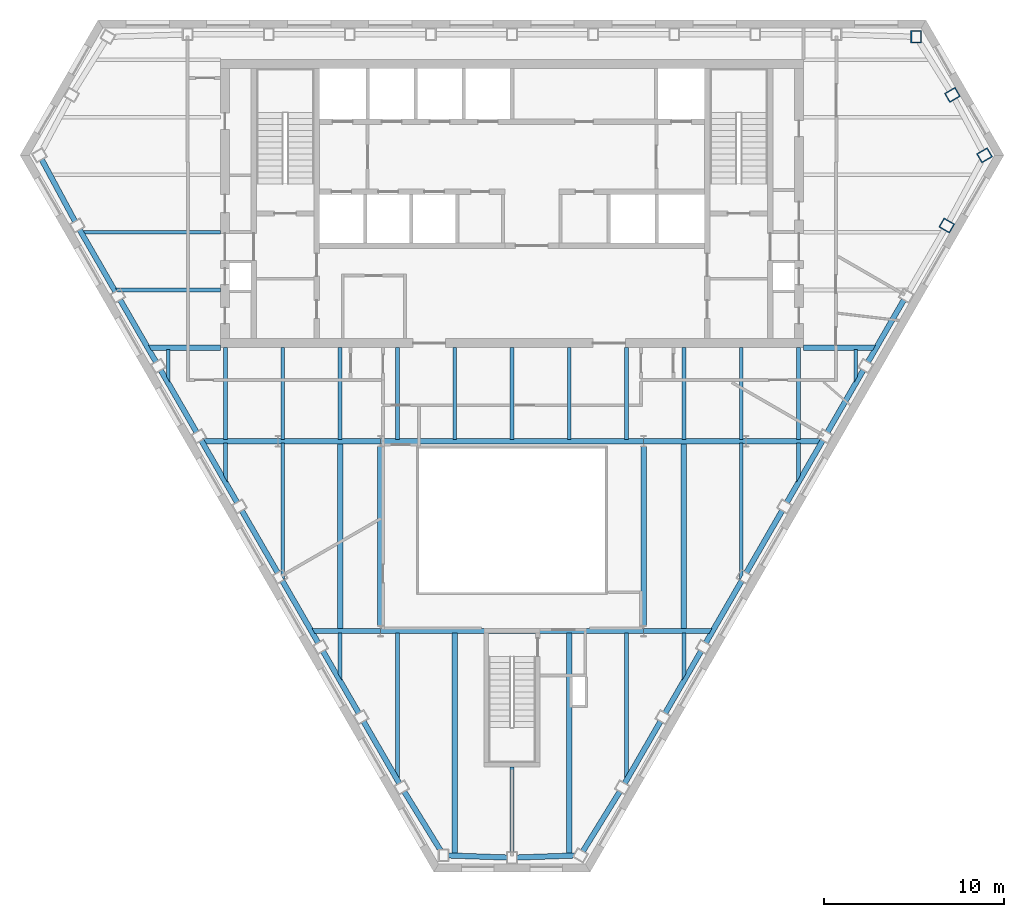
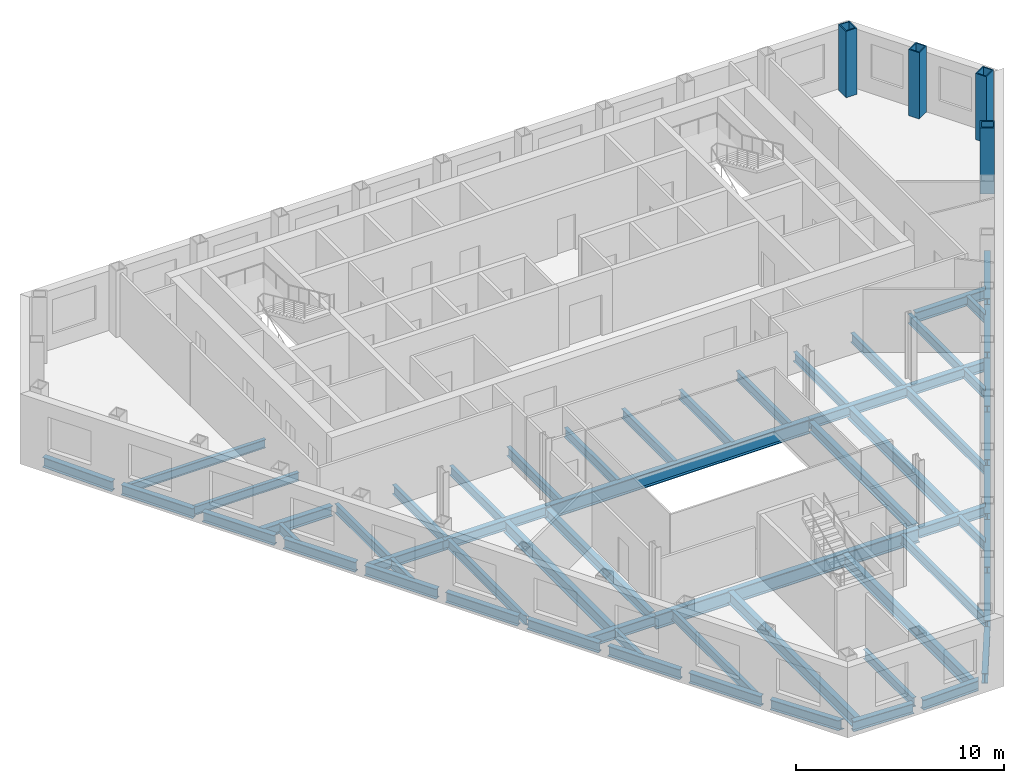
# One storey, part 2 of 10: 60 beams, 4 columns.
"""IFC4 building model written with IfcOpenShell, lengths in metres."""

from ifc_helpers import new_model, si_unit, direction, frame, origin, origin_2d, place, context, subcontext, project, spatial, hollow_rectangle, i_section, extrude, clip, halfspace, material, material_profile, profile_set, type_object, element, save


model = new_model("IFC4")

# Units and contexts
model_context = context("Model", 3, precision=1e-05, world=origin(), true_north=direction((0.0, 1.0)))
body_context = subcontext(model_context, "Body", "Model", "MODEL_VIEW")
ifc_project = project(units=[si_unit("LENGTHUNIT", "METRE"), si_unit("AREAUNIT", "SQUARE_METRE"), si_unit("VOLUMEUNIT", "CUBIC_METRE"), si_unit("PLANEANGLEUNIT", "RADIAN"), si_unit("MASSUNIT", "GRAM", prefix="KILO")], contexts=[model_context])

# Site, building, storey
site_placement = place(None, origin())
site = spatial("IfcSite", under=ifc_project, at=site_placement, CompositionType="ELEMENT")
building_placement = place(site_placement, origin())
building = spatial("IfcBuilding", under=site, at=building_placement, Name="Njiva Tower", CompositionType="ELEMENT")
storey_placement = place(building_placement, frame((0.0, 0.0, 159.3)))
storey = spatial("IfcBuildingStorey", under=building, at=storey_placement, Name="L34", CompositionType="ELEMENT", Elevation=159.3)

# Columns
ifc_material = material(Name="Steel S355 J2", Category="steel")
ifc_material_profile_1 = material_profile(ifc_material, hollow_rectangle(XDim=0.6, YDim=0.7, WallThickness=0.06, at=origin_2d()), Name="BOX 700x600x60")
ifc_profile_set_1 = profile_set([ifc_material_profile_1], Name="Steel S355 J2")
column_type = type_object("IfcColumnType", Name="C9 Perimeter tube column BOX 700x600x60", PredefinedType="COLUMN", material=ifc_profile_set_1)
for number, where, z_axis, x_axis, name in (
    (1, (22.456, 19.267, 0.0), (0.0, 0.0, 1.0), (-1.0, 0.0, 0.0), "Perimeter tube column S11-C01"),
    (2, (24.158, 8.78, 0.0), (0.0, 0.0, 1.0), (0.5, 0.866025403784, 0.0), "Perimeter tube column S11-C34"),
    (3, (26.258, 12.683, 0.0), (0.0, 0.0, 1.0), (-0.5, 0.866025403784, 0.0), "Perimeter tube column S11-C35"),
    (4, (24.472, 16.041, 0.0), (0.0, 0.0, 1.0), (-0.5, 0.866025403784, 0.0), "Perimeter tube column S11-C36"),
):
    element("IfcColumn", number, at=place(storey_placement, frame(where, z_axis=z_axis, x_axis=x_axis)), inside=storey, type_object=column_type, Name=name, PredefinedType="COLUMN", context=body_context, shape_type="SweptSolid", body=[
        extrude(hollow_rectangle(XDim=0.6, YDim=0.7, WallThickness=0.06, at=origin_2d()), origin(), (0.0, 0.0, 1.0), 3.9),
    ])

# Beams
ifc_material_profile_2 = material_profile(ifc_material, i_section(OverallWidth=0.3, OverallDepth=0.69, WebThickness=0.0145, FlangeThickness=0.027, at=origin_2d()), Name="HEA 700")
ifc_profile_set_2 = profile_set([ifc_material_profile_2], Name="Steel S355 J2")
beam_type_1 = type_object("IfcBeamType", Name="B12 Long-span floor joist HEA 700", PredefinedType="JOIST", material=ifc_profile_set_2)
beam_1_placement = place(storey_placement, frame((-9.55, -3.3, -0.545), z_axis=(0.0, -1.0, 0.0), x_axis=(1.0, 0.0, 0.0)))
element("IfcBeam", 5, at=beam_1_placement, inside=storey, type_object=beam_type_1, Name="Long-span floor joist S11-B059", PredefinedType="JOIST", context=body_context, shape_type="SweptSolid", body=[
    extrude(i_section(OverallWidth=0.3, OverallDepth=0.69, WebThickness=0.0145, FlangeThickness=0.027, at=origin_2d()), origin(), (0.0, 0.0, 1.0), 10.35),
])
for number, where, z_axis, x_axis, name in (
    (6, (-3.183, -13.851, -0.545), (0.0, -1.0, 0.0), (1.0, 0.0, 0.0), "Long-span floor joist S11-B063"),
    (7, (3.183, -13.851, -0.545), (0.0, -1.0, 0.0), (1.0, 0.0, 0.0), "Long-span floor joist S11-B068"),
):
    element("IfcBeam", number, at=place(storey_placement, frame(where, z_axis=z_axis, x_axis=x_axis)), inside=storey, type_object=beam_type_1, Name=name, PredefinedType="JOIST", context=body_context, shape_type="SweptSolid", body=[
        extrude(i_section(OverallWidth=0.3, OverallDepth=0.69, WebThickness=0.0145, FlangeThickness=0.027, at=origin_2d()), origin(), (0.0, 0.0, 1.0), 12.28),
    ])
beam_2_placement = place(storey_placement, frame((9.55, -3.3, -0.545), z_axis=(0.0, -1.0, 0.0), x_axis=(1.0, 0.0, 0.0)))
element("IfcBeam", 8, at=beam_2_placement, inside=storey, type_object=beam_type_1, Name="Long-span floor joist S11-B073", PredefinedType="JOIST", context=body_context, shape_type="SweptSolid", body=[
    extrude(i_section(OverallWidth=0.3, OverallDepth=0.69, WebThickness=0.0145, FlangeThickness=0.027, at=origin_2d()), origin(), (0.0, 0.0, 1.0), 10.35),
])
ifc_material_profile_3 = material_profile(ifc_material, i_section(OverallWidth=0.2, OverallDepth=0.5, WebThickness=0.0102, FlangeThickness=0.016, at=origin_2d()), Name="IPE 500")
ifc_profile_set_3 = profile_set([ifc_material_profile_3], Name="Steel S355 J2")
beam_type_2 = type_object("IfcBeamType", Name="B24 Floor beam to the core IPE 500", PredefinedType="BEAM", material=ifc_profile_set_3)
beam_3_placement = place(storey_placement, frame((-22.054, 5.2, -0.45), z_axis=(1.0, 0.0, 0.0), x_axis=(0.0, 1.0, 0.0)))
element("IfcBeam", 9, at=beam_3_placement, inside=storey, type_object=beam_type_2, Name="Floor beam to the core S11-B006", PredefinedType="BEAM", context=body_context, shape_type="Clipping", body=[
    clip(extrude(i_section(OverallWidth=0.2, OverallDepth=0.5, WebThickness=0.0102, FlangeThickness=0.016, at=origin_2d()), origin(), (0.0, 0.0, 1.0), 5.854), halfspace(frame((-0.025, 0.0, 0.0929), z_axis=(-0.499998009787, 0.0, -0.866026552831), x_axis=(0.0, -1.0, 0.0)), False)),
])
beam_4_placement = place(storey_placement, frame((-23.901, 8.4, -0.45), z_axis=(1.0, 0.0, 0.0), x_axis=(0.0, 1.0, 0.0)))
element("IfcBeam", 10, at=beam_4_placement, inside=storey, type_object=beam_type_2, Name="Floor beam to the core S11-B004", PredefinedType="BEAM", context=body_context, shape_type="Clipping", body=[
    clip(extrude(i_section(OverallWidth=0.2, OverallDepth=0.5, WebThickness=0.0102, FlangeThickness=0.016, at=origin_2d()), origin(), (0.0, 0.0, 1.0), 7.701), halfspace(frame((-0.025, 0.0, 0.0924), z_axis=(-0.499998009787, 0.0, -0.866026552831), x_axis=(0.0, -1.0, 0.0)), False)),
])
ifc_material_profile_4 = material_profile(ifc_material, i_section(OverallWidth=0.3, OverallDepth=0.59, WebThickness=0.013, FlangeThickness=0.025, at=origin_2d()), Name="HEA 600")
ifc_profile_set_4 = profile_set([ifc_material_profile_4], Name="Steel S355 J2")
beam_type_3 = type_object("IfcBeamType", Name="B27 Short-span spandrel beam HEA 600", PredefinedType="SPANDREL", material=ifc_profile_set_4)
beam_5_placement = place(storey_placement, frame((-26.137, 12.46, -0.495), z_axis=(0.473719879084, -0.880675579405, 0.0), x_axis=(0.880675579405, 0.473719879084, 0.0)))
element("IfcBeam", 11, at=beam_5_placement, inside=storey, type_object=beam_type_3, Name="Short-span spandrel beam S11-B088", PredefinedType="SPANDREL", context=body_context, shape_type="SweptSolid", body=[
    extrude(i_section(OverallWidth=0.3, OverallDepth=0.59, WebThickness=0.013, FlangeThickness=0.025, at=origin_2d()), origin(), (0.0, 0.0, 1.0), 3.9243),
])
beam_6_placement = place(storey_placement, frame((-24.033, 8.564, -0.495), z_axis=(0.499924104568, -0.866069217599, 0.0), x_axis=(0.866069217599, 0.499924104568, 0.0)))
element("IfcBeam", 12, at=beam_6_placement, inside=storey, type_object=beam_type_3, Name="Short-span spandrel beam S11-B093", PredefinedType="SPANDREL", context=body_context, shape_type="SweptSolid", body=[
    extrude(i_section(OverallWidth=0.3, OverallDepth=0.59, WebThickness=0.013, FlangeThickness=0.025, at=origin_2d()), origin(), (0.0, 0.0, 1.0), 4.0066),
])
beam_7_placement = place(storey_placement, frame((-21.78, 4.661, -0.495), z_axis=(0.500003221507, -0.866023543838, 0.0), x_axis=(0.866023543838, 0.500003221507, 0.0)))
element("IfcBeam", 13, at=beam_7_placement, inside=storey, type_object=beam_type_3, Name="Short-span spandrel beam S11-B097", PredefinedType="SPANDREL", context=body_context, shape_type="SweptSolid", body=[
    extrude(i_section(OverallWidth=0.3, OverallDepth=0.59, WebThickness=0.013, FlangeThickness=0.025, at=origin_2d()), origin(), (0.0, 0.0, 1.0), 4.008),
])
for number, where, z_axis, x_axis, name in (
    (14, (-19.526, 0.757, -0.495), (0.500032187732, -0.866006819391, 0.0), (0.866006819391, 0.500032187732, 0.0), "Short-span spandrel beam S11-B099"),
    (15, (-17.273, -3.145, -0.495), (0.500032187732, -0.866006819391, 0.0), (0.866006819391, 0.500032187732, 0.0), "Short-span spandrel beam S11-B103"),
):
    element("IfcBeam", number, at=place(storey_placement, frame(where, z_axis=z_axis, x_axis=x_axis)), inside=storey, type_object=beam_type_3, Name=name, PredefinedType="SPANDREL", context=body_context, shape_type="SweptSolid", body=[
        extrude(i_section(OverallWidth=0.3, OverallDepth=0.59, WebThickness=0.013, FlangeThickness=0.025, at=origin_2d()), origin(), (0.0, 0.0, 1.0), 4.0057),
    ])
beam_8_placement = place(storey_placement, frame((-15.02, -7.047, -0.495), z_axis=(0.500003221507, -0.866023543838, 0.0), x_axis=(0.866023543838, 0.500003221507, 0.0)))
element("IfcBeam", 16, at=beam_8_placement, inside=storey, type_object=beam_type_3, Name="Short-span spandrel beam S11-B105", PredefinedType="SPANDREL", context=body_context, shape_type="SweptSolid", body=[
    extrude(i_section(OverallWidth=0.3, OverallDepth=0.59, WebThickness=0.013, FlangeThickness=0.025, at=origin_2d()), origin(), (0.0, 0.0, 1.0), 4.008),
])
beam_9_placement = place(storey_placement, frame((-12.766, -10.951, -0.495), z_axis=(0.499924104568, -0.866069217599, 0.0), x_axis=(0.866069217599, 0.499924104568, 0.0)))
element("IfcBeam", 17, at=beam_9_placement, inside=storey, type_object=beam_type_3, Name="Short-span spandrel beam S11-B109", PredefinedType="SPANDREL", context=body_context, shape_type="SweptSolid", body=[
    extrude(i_section(OverallWidth=0.3, OverallDepth=0.59, WebThickness=0.013, FlangeThickness=0.025, at=origin_2d()), origin(), (0.0, 0.0, 1.0), 4.0066),
])
beam_10_placement = place(storey_placement, frame((-10.513, -14.854, -0.495), z_axis=(0.500032187732, -0.866006819391, 0.0), x_axis=(0.866006819391, 0.500032187732, 0.0)))
element("IfcBeam", 18, at=beam_10_placement, inside=storey, type_object=beam_type_3, Name="Short-span spandrel beam S11-B111", PredefinedType="SPANDREL", context=body_context, shape_type="SweptSolid", body=[
    extrude(i_section(OverallWidth=0.3, OverallDepth=0.59, WebThickness=0.013, FlangeThickness=0.025, at=origin_2d()), origin(), (0.0, 0.0, 1.0), 4.0057),
])
beam_11_placement = place(storey_placement, frame((-8.26, -18.756, -0.495), z_axis=(0.500003221507, -0.866023543838, 0.0), x_axis=(0.866023543838, 0.500003221507, 0.0)))
element("IfcBeam", 19, at=beam_11_placement, inside=storey, type_object=beam_type_3, Name="Short-span spandrel beam S11-B115", PredefinedType="SPANDREL", context=body_context, shape_type="SweptSolid", body=[
    extrude(i_section(OverallWidth=0.3, OverallDepth=0.59, WebThickness=0.013, FlangeThickness=0.025, at=origin_2d()), origin(), (0.0, 0.0, 1.0), 4.008),
])
beam_12_placement = place(storey_placement, frame((-5.998, -22.659, -0.495), z_axis=(0.525832416533, -0.850588190444, 0.0), x_axis=(0.850588190444, 0.525832416533, 0.0)))
element("IfcBeam", 20, at=beam_12_placement, inside=storey, type_object=beam_type_3, Name="Short-span spandrel beam S11-B117", PredefinedType="SPANDREL", context=body_context, shape_type="Clipping", body=[
    clip(extrude(i_section(OverallWidth=0.3, OverallDepth=0.59, WebThickness=0.013, FlangeThickness=0.025, at=origin_2d()), origin(), (0.0, 0.0, 1.0), 3.9374), halfspace(frame((-0.0263, 0.0, 3.8082), z_axis=(-0.525832416533, 0.0, 0.850588190444), x_axis=(0.0, 1.0, 0.0)), False)),
])
beam_13_placement = place(storey_placement, frame((-3.547, -26.221, -0.495), z_axis=(0.999380132926, -0.035204401889, 0.0), x_axis=(0.035204401889, 0.999380132926, 0.0)))
element("IfcBeam", 21, at=beam_13_placement, inside=storey, type_object=beam_type_3, Name="Short-span spandrel beam S11-B121", PredefinedType="SPANDREL", context=body_context, shape_type="SweptSolid", body=[
    extrude(i_section(OverallWidth=0.3, OverallDepth=0.59, WebThickness=0.013, FlangeThickness=0.025, at=origin_2d()), origin(), (0.0, 0.0, 1.0), 3.295),
])
beam_14_placement = place(storey_placement, frame((0.254, -26.337, -0.495), z_axis=(0.999385378598, 0.035055171438, 0.0), x_axis=(-0.035055171438, 0.999385378598, 0.0)))
element("IfcBeam", 22, at=beam_14_placement, inside=storey, type_object=beam_type_3, Name="Short-span spandrel beam S11-B122", PredefinedType="SPANDREL", context=body_context, shape_type="Clipping", body=[
    clip(extrude(i_section(OverallWidth=0.3, OverallDepth=0.59, WebThickness=0.013, FlangeThickness=0.025, at=origin_2d()), origin(), (0.0, 0.0, 1.0), 3.309), halfspace(frame((-0.0264, 0.0, 3.1785), z_axis=(-0.530049409589, 0.0, 0.847966758425), x_axis=(0.0, 1.0, 0.0)), False)),
])
beam_15_placement = place(storey_placement, frame((3.935, -25.996, -0.495), z_axis=(0.525845568768, 0.850580059611, 0.0), x_axis=(-0.850580059611, 0.525845568768, 0.0)))
element("IfcBeam", 23, at=beam_15_placement, inside=storey, type_object=beam_type_3, Name="Short-span spandrel beam S11-B126", PredefinedType="SPANDREL", context=body_context, shape_type="SweptSolid", body=[
    extrude(i_section(OverallWidth=0.3, OverallDepth=0.59, WebThickness=0.013, FlangeThickness=0.025, at=origin_2d()), origin(), (0.0, 0.0, 1.0), 3.9232),
])
beam_16_placement = place(storey_placement, frame((6.256, -22.227, -0.495), z_axis=(0.500003221507, 0.866023543838, 0.0), x_axis=(-0.866023543838, 0.500003221507, 0.0)))
element("IfcBeam", 24, at=beam_16_placement, inside=storey, type_object=beam_type_3, Name="Short-span spandrel beam S11-B130", PredefinedType="SPANDREL", context=body_context, shape_type="SweptSolid", body=[
    extrude(i_section(OverallWidth=0.3, OverallDepth=0.59, WebThickness=0.013, FlangeThickness=0.025, at=origin_2d()), origin(), (0.0, 0.0, 1.0), 4.008),
])
beam_17_placement = place(storey_placement, frame((8.51, -18.323, -0.495), z_axis=(0.500032187732, 0.866006819391, 0.0), x_axis=(-0.866006819391, 0.500032187732, 0.0)))
element("IfcBeam", 25, at=beam_17_placement, inside=storey, type_object=beam_type_3, Name="Short-span spandrel beam S11-B132", PredefinedType="SPANDREL", context=body_context, shape_type="SweptSolid", body=[
    extrude(i_section(OverallWidth=0.3, OverallDepth=0.59, WebThickness=0.013, FlangeThickness=0.025, at=origin_2d()), origin(), (0.0, 0.0, 1.0), 4.0057),
])
beam_18_placement = place(storey_placement, frame((10.763, -14.421, -0.495), z_axis=(0.499924104568, 0.866069217599, 0.0), x_axis=(-0.866069217599, 0.499924104568, 0.0)))
element("IfcBeam", 26, at=beam_18_placement, inside=storey, type_object=beam_type_3, Name="Short-span spandrel beam S11-B136", PredefinedType="SPANDREL", context=body_context, shape_type="SweptSolid", body=[
    extrude(i_section(OverallWidth=0.3, OverallDepth=0.59, WebThickness=0.013, FlangeThickness=0.025, at=origin_2d()), origin(), (0.0, 0.0, 1.0), 4.0066),
])
beam_19_placement = place(storey_placement, frame((13.016, -10.518, -0.495), z_axis=(0.500003221507, 0.866023543838, 0.0), x_axis=(-0.866023543838, 0.500003221507, 0.0)))
element("IfcBeam", 27, at=beam_19_placement, inside=storey, type_object=beam_type_3, Name="Short-span spandrel beam S11-B138", PredefinedType="SPANDREL", context=body_context, shape_type="SweptSolid", body=[
    extrude(i_section(OverallWidth=0.3, OverallDepth=0.59, WebThickness=0.013, FlangeThickness=0.025, at=origin_2d()), origin(), (0.0, 0.0, 1.0), 4.008),
])
for number, where, z_axis, x_axis, name in (
    (28, (15.27, -6.614, -0.495), (0.500032187732, 0.866006819391, 0.0), (-0.866006819391, 0.500032187732, 0.0), "Short-span spandrel beam S11-B142"),
    (29, (17.523, -2.712, -0.495), (0.500032187732, 0.866006819391, 0.0), (-0.866006819391, 0.500032187732, 0.0), "Short-span spandrel beam S11-B144"),
):
    element("IfcBeam", number, at=place(storey_placement, frame(where, z_axis=z_axis, x_axis=x_axis)), inside=storey, type_object=beam_type_3, Name=name, PredefinedType="SPANDREL", context=body_context, shape_type="SweptSolid", body=[
        extrude(i_section(OverallWidth=0.3, OverallDepth=0.59, WebThickness=0.013, FlangeThickness=0.025, at=origin_2d()), origin(), (0.0, 0.0, 1.0), 4.0057),
    ])
beam_20_placement = place(storey_placement, frame((19.776, 1.19, -0.495), z_axis=(0.500003221507, 0.866023543838, 0.0), x_axis=(-0.866023543838, 0.500003221507, 0.0)))
element("IfcBeam", 30, at=beam_20_placement, inside=storey, type_object=beam_type_3, Name="Short-span spandrel beam S11-B148", PredefinedType="SPANDREL", context=body_context, shape_type="SweptSolid", body=[
    extrude(i_section(OverallWidth=0.3, OverallDepth=0.59, WebThickness=0.013, FlangeThickness=0.025, at=origin_2d()), origin(), (0.0, 0.0, 1.0), 4.008),
])
ifc_material_profile_5 = material_profile(ifc_material, i_section(OverallWidth=0.3, OverallDepth=0.59, WebThickness=0.013, FlangeThickness=0.025, at=origin_2d()), Name="HEA 600")
ifc_profile_set_5 = profile_set([ifc_material_profile_5], Name="Steel S355 J2")
beam_type_4 = type_object("IfcBeamType", Name="B28 Floor girder HEA 600", PredefinedType="BEAM", material=ifc_profile_set_5)
for number, where, z_axis, x_axis, name in (
    (31, (-13.0, -3.2, -0.495), (1.0, 0.0, 0.0), (0.0, 1.0, 0.0), "Floor girder S11-B016"),
    (32, (7.32, -3.2, -0.495), (1.0, 0.0, 0.0), (0.0, 1.0, 0.0), "Floor girder S11-B019"),
):
    element("IfcBeam", number, at=place(storey_placement, frame(where, z_axis=z_axis, x_axis=x_axis)), inside=storey, type_object=beam_type_4, Name=name, PredefinedType="BEAM", context=body_context, shape_type="SweptSolid", body=[
        extrude(i_section(OverallWidth=0.3, OverallDepth=0.59, WebThickness=0.013, FlangeThickness=0.025, at=origin_2d()), origin(), (0.0, 0.0, 1.0), 5.68),
    ])
ifc_material_profile_6 = material_profile(ifc_material, i_section(OverallWidth=0.3, OverallDepth=0.59, WebThickness=0.013, FlangeThickness=0.025, at=origin_2d()), Name="HEA 600")
ifc_profile_set_6 = profile_set([ifc_material_profile_6], Name="Steel S355 J2")
beam_type_5 = type_object("IfcBeamType", Name="B29 Short-span floor girder HEA 600", PredefinedType="BEAM", material=ifc_profile_set_6)
beam_21_placement = place(storey_placement, frame((-17.233, -3.2, -0.495), z_axis=(1.0, 0.0, 0.0), x_axis=(0.0, 1.0, 0.0)))
element("IfcBeam", 33, at=beam_21_placement, inside=storey, type_object=beam_type_5, Name="Short-span floor girder S11-B015", PredefinedType="BEAM", context=body_context, shape_type="Clipping", body=[
    clip(extrude(i_section(OverallWidth=0.3, OverallDepth=0.59, WebThickness=0.013, FlangeThickness=0.025, at=origin_2d()), origin(), (0.0, 0.0, 1.0), 4.233), halfspace(frame((-0.025, 0.0, 0.1217), z_axis=(-0.499998009787, 0.0, -0.866026552831), x_axis=(0.0, -1.0, 0.0)), False)),
])
beam_22_placement = place(storey_placement, frame((13.0, -3.2, -0.495), z_axis=(1.0, 0.0, 0.0), x_axis=(0.0, 1.0, 0.0)))
element("IfcBeam", 34, at=beam_22_placement, inside=storey, type_object=beam_type_5, Name="Short-span floor girder S11-B020", PredefinedType="BEAM", context=body_context, shape_type="Clipping", body=[
    clip(extrude(i_section(OverallWidth=0.3, OverallDepth=0.59, WebThickness=0.013, FlangeThickness=0.025, at=origin_2d()), origin(), (0.0, 0.0, 1.0), 4.233), halfspace(frame((-0.025, 0.0, 4.1113), z_axis=(-0.499998009787, 0.0, 0.866026552831), x_axis=(0.0, 1.0, 0.0)), False)),
])
beam_23_placement = place(storey_placement, frame((-11.142, -13.75, -0.495), z_axis=(1.0, 0.0, 0.0), x_axis=(0.0, 1.0, 0.0)))
element("IfcBeam", 35, at=beam_23_placement, inside=storey, type_object=beam_type_5, Name="Short-span floor girder S11-B017", PredefinedType="BEAM", context=body_context, shape_type="Clipping", body=[
    clip(extrude(i_section(OverallWidth=0.3, OverallDepth=0.59, WebThickness=0.013, FlangeThickness=0.025, at=origin_2d()), origin(), (0.0, 0.0, 1.0), 3.822), halfspace(frame((-0.025, 0.0, 0.1217), z_axis=(-0.499998009787, 0.0, -0.866026552831), x_axis=(0.0, -1.0, 0.0)), False)),
])
beam_24_placement = place(storey_placement, frame((7.32, -13.75, -0.495), z_axis=(1.0, 0.0, 0.0), x_axis=(0.0, 1.0, 0.0)))
element("IfcBeam", 36, at=beam_24_placement, inside=storey, type_object=beam_type_5, Name="Short-span floor girder S11-B018", PredefinedType="BEAM", context=body_context, shape_type="Clipping", body=[
    clip(extrude(i_section(OverallWidth=0.3, OverallDepth=0.59, WebThickness=0.013, FlangeThickness=0.025, at=origin_2d()), origin(), (0.0, 0.0, 1.0), 3.822), halfspace(frame((-0.025, 0.0, 3.7003), z_axis=(-0.499998009787, 0.0, 0.866026552831), x_axis=(0.0, 1.0, 0.0)), False)),
])
beam_25_placement = place(storey_placement, frame((-20.235, 2.0, -0.495), z_axis=(1.0, 0.0, 0.0), x_axis=(0.0, 1.0, 0.0)))
element("IfcBeam", 37, at=beam_25_placement, inside=storey, type_object=beam_type_5, Name="Short-span floor girder S11-B013", PredefinedType="BEAM", context=body_context, shape_type="Clipping", body=[
    clip(extrude(i_section(OverallWidth=0.3, OverallDepth=0.59, WebThickness=0.013, FlangeThickness=0.025, at=origin_2d()), origin(), (0.0, 0.0, 1.0), 4.035), halfspace(frame((-0.025, 0.0, 0.1214), z_axis=(-0.499998009787, 0.0, -0.866026552831), x_axis=(0.0, -1.0, 0.0)), False)),
])
beam_26_placement = place(storey_placement, frame((16.2, 2.0, -0.495), z_axis=(1.0, 0.0, 0.0), x_axis=(0.0, 1.0, 0.0)))
element("IfcBeam", 38, at=beam_26_placement, inside=storey, type_object=beam_type_5, Name="Short-span floor girder S11-B022", PredefinedType="BEAM", context=body_context, shape_type="Clipping", body=[
    clip(extrude(i_section(OverallWidth=0.3, OverallDepth=0.59, WebThickness=0.013, FlangeThickness=0.025, at=origin_2d()), origin(), (0.0, 0.0, 1.0), 4.035), halfspace(frame((-0.025, 0.0, 3.9136), z_axis=(-0.499998009787, 0.0, 0.866026552831), x_axis=(0.0, 1.0, 0.0)), False)),
])
ifc_material_profile_7 = material_profile(ifc_material, i_section(OverallWidth=0.3, OverallDepth=0.59, WebThickness=0.013, FlangeThickness=0.025, at=origin_2d()), Name="HEA 600")
ifc_profile_set_7 = profile_set([ifc_material_profile_7], Name="Steel S355 J2")
beam_type_6 = type_object("IfcBeamType", Name="B30 Long-span atrium trimmer beam HEA 600", PredefinedType="BEAM", material=ifc_profile_set_7)
for number, where, z_axis, x_axis, name in (
    (39, (7.32, -13.49, -0.495), (0.0, 1.0, 0.0), (-1.0, 0.0, 0.0), "Long-span atrium trimmer beam S11-B086"),
    (40, (-7.32, -3.46, -0.495), (0.0, -1.0, 0.0), (1.0, 0.0, 0.0), "Long-span atrium trimmer beam S11-B083"),
):
    element("IfcBeam", number, at=place(storey_placement, frame(where, z_axis=z_axis, x_axis=x_axis)), inside=storey, type_object=beam_type_6, Name=name, PredefinedType="BEAM", context=body_context, shape_type="SweptSolid", body=[
        extrude(i_section(OverallWidth=0.3, OverallDepth=0.59, WebThickness=0.013, FlangeThickness=0.025, at=origin_2d()), origin(), (0.0, 0.0, 1.0), 10.03),
    ])
ifc_material_profile_8 = material_profile(ifc_material, i_section(OverallWidth=0.21, OverallDepth=0.55, WebThickness=0.0111, FlangeThickness=0.0172, at=origin_2d()), Name="IPE 550")
ifc_profile_set_8 = profile_set([ifc_material_profile_8], Name="Steel S355 J2")
beam_type_7 = type_object("IfcBeamType", Name="B31 Short-span floor joist IPE 550", PredefinedType="JOIST", material=ifc_profile_set_8)
beam_27_placement = place(storey_placement, frame((-19.1, 1.9, -0.475), z_axis=(0.0, -1.0, 0.0), x_axis=(1.0, 0.0, 0.0)))
element("IfcBeam", 41, at=beam_27_placement, inside=storey, type_object=beam_type_7, Name="Short-span floor joist S11-B052", PredefinedType="JOIST", context=body_context, shape_type="Clipping", body=[
    clip(extrude(i_section(OverallWidth=0.21, OverallDepth=0.55, WebThickness=0.0111, FlangeThickness=0.0172, at=origin_2d()), origin(), (0.0, 0.0, 1.0), 1.883), halfspace(frame((-0.0433, 0.0, 1.6055), z_axis=(-0.866026552831, 0.0, 0.499998009787), x_axis=(0.0, 1.0, 0.0)), False)),
])
beam_28_placement = place(storey_placement, frame((-15.917, -3.3, -0.475), z_axis=(0.0, -1.0, 0.0), x_axis=(1.0, 0.0, 0.0)))
element("IfcBeam", 42, at=beam_28_placement, inside=storey, type_object=beam_type_7, Name="Short-span floor joist S11-B053", PredefinedType="JOIST", context=body_context, shape_type="Clipping", body=[
    clip(extrude(i_section(OverallWidth=0.21, OverallDepth=0.55, WebThickness=0.0111, FlangeThickness=0.0172, at=origin_2d()), origin(), (0.0, 0.0, 1.0), 2.196), halfspace(frame((-0.043, 0.0, 1.9192), z_axis=(-0.866026552831, 0.0, 0.499998009787), x_axis=(0.0, 1.0, 0.0)), False)),
])
beam_29_placement = place(storey_placement, frame((-9.55, -13.85, -0.475), z_axis=(0.0, -1.0, 0.0), x_axis=(1.0, 0.0, 0.0)))
element("IfcBeam", 43, at=beam_29_placement, inside=storey, type_object=beam_type_7, Name="Short-span floor joist S11-B058", PredefinedType="JOIST", context=body_context, shape_type="Clipping", body=[
    clip(extrude(i_section(OverallWidth=0.21, OverallDepth=0.55, WebThickness=0.0111, FlangeThickness=0.0172, at=origin_2d()), origin(), (0.0, 0.0, 1.0), 2.674), halfspace(frame((-0.0433, 0.0, 2.3966), z_axis=(-0.866026552831, 0.0, 0.499998009787), x_axis=(0.0, 1.0, 0.0)), False)),
])
beam_30_placement = place(storey_placement, frame((9.55, -13.85, -0.475), z_axis=(0.0, -1.0, 0.0), x_axis=(1.0, 0.0, 0.0)))
element("IfcBeam", 44, at=beam_30_placement, inside=storey, type_object=beam_type_7, Name="Short-span floor joist S11-B072", PredefinedType="JOIST", context=body_context, shape_type="Clipping", body=[
    clip(extrude(i_section(OverallWidth=0.21, OverallDepth=0.55, WebThickness=0.0111, FlangeThickness=0.0172, at=origin_2d()), origin(), (0.0, 0.0, 1.0), 2.674), halfspace(frame((0.0433, 0.0, 2.3966), z_axis=(0.866026552831, 0.0, 0.499998009787), x_axis=(0.0, 1.0, 0.0)), False)),
])
beam_31_placement = place(storey_placement, frame((15.917, -3.3, -0.475), z_axis=(0.0, -1.0, 0.0), x_axis=(1.0, 0.0, 0.0)))
element("IfcBeam", 45, at=beam_31_placement, inside=storey, type_object=beam_type_7, Name="Short-span floor joist S11-B078", PredefinedType="JOIST", context=body_context, shape_type="Clipping", body=[
    clip(extrude(i_section(OverallWidth=0.21, OverallDepth=0.55, WebThickness=0.0111, FlangeThickness=0.0172, at=origin_2d()), origin(), (0.0, 0.0, 1.0), 2.196), halfspace(frame((0.043, 0.0, 1.9192), z_axis=(0.866026552831, 0.0, 0.499998009787), x_axis=(0.0, 1.0, 0.0)), False)),
])
beam_32_placement = place(storey_placement, frame((19.1, 1.9, -0.475), z_axis=(0.0, -1.0, 0.0), x_axis=(1.0, 0.0, 0.0)))
element("IfcBeam", 46, at=beam_32_placement, inside=storey, type_object=beam_type_7, Name="Short-span floor joist S11-B080", PredefinedType="JOIST", context=body_context, shape_type="Clipping", body=[
    clip(extrude(i_section(OverallWidth=0.21, OverallDepth=0.55, WebThickness=0.0111, FlangeThickness=0.0172, at=origin_2d()), origin(), (0.0, 0.0, 1.0), 1.883), halfspace(frame((0.0433, 0.0, 1.6055), z_axis=(0.866026552831, 0.0, 0.499998009787), x_axis=(0.0, 1.0, 0.0)), False)),
])
ifc_material_profile_9 = material_profile(ifc_material, i_section(OverallWidth=0.21, OverallDepth=0.55, WebThickness=0.0111, FlangeThickness=0.0172, at=origin_2d()), Name="IPE 550")
ifc_profile_set_9 = profile_set([ifc_material_profile_9], Name="Steel S355 J2")
beam_type_8 = type_object("IfcBeamType", Name="B32 Floor joist IPE 550", PredefinedType="JOIST", material=ifc_profile_set_9)
for number, where, z_axis, x_axis, name in (
    (47, (-15.917, 1.995, -0.475), (0.0, -1.0, 0.0), (1.0, 0.0, 0.0), "Floor joist S11-B054"),
    (48, (-12.733, 1.995, -0.475), (0.0, -1.0, 0.0), (1.0, 0.0, 0.0), "Floor joist S11-B057"),
):
    element("IfcBeam", number, at=place(storey_placement, frame(where, z_axis=z_axis, x_axis=x_axis)), inside=storey, type_object=beam_type_8, Name=name, PredefinedType="JOIST", context=body_context, shape_type="SweptSolid", body=[
        extrude(i_section(OverallWidth=0.21, OverallDepth=0.55, WebThickness=0.0111, FlangeThickness=0.0172, at=origin_2d()), origin(), (0.0, 0.0, 1.0), 5.095),
    ])
beam_33_placement = place(storey_placement, frame((-12.733, -3.3, -0.475), z_axis=(0.0, -1.0, 0.0), x_axis=(1.0, 0.0, 0.0)))
element("IfcBeam", 49, at=beam_33_placement, inside=storey, type_object=beam_type_8, Name="Floor joist S11-B056", PredefinedType="JOIST", context=body_context, shape_type="Clipping", body=[
    clip(extrude(i_section(OverallWidth=0.21, OverallDepth=0.55, WebThickness=0.0111, FlangeThickness=0.0172, at=origin_2d()), origin(), (0.0, 0.0, 1.0), 7.71), halfspace(frame((-0.0436, 0.0, 7.4329), z_axis=(-0.866026552831, 0.0, 0.499998009787), x_axis=(0.0, 1.0, 0.0)), False)),
])
beam_34_placement = place(storey_placement, frame((-9.55, 1.995, -0.475), z_axis=(0.0, -1.0, 0.0), x_axis=(1.0, 0.0, 0.0)))
element("IfcBeam", 50, at=beam_34_placement, inside=storey, type_object=beam_type_8, Name="Floor joist S11-B060", PredefinedType="JOIST", context=body_context, shape_type="SweptSolid", body=[
    extrude(i_section(OverallWidth=0.21, OverallDepth=0.55, WebThickness=0.0111, FlangeThickness=0.0172, at=origin_2d()), origin(), (0.0, 0.0, 1.0), 5.095),
])
beam_35_placement = place(storey_placement, frame((-6.367, 1.995, -0.475), z_axis=(0.0, -1.0, 0.0), x_axis=(1.0, 0.0, 0.0)))
element("IfcBeam", 51, at=beam_35_placement, inside=storey, type_object=beam_type_8, Name="Floor joist S11-B062", PredefinedType="JOIST", context=body_context, shape_type="SweptSolid", body=[
    extrude(i_section(OverallWidth=0.21, OverallDepth=0.55, WebThickness=0.0111, FlangeThickness=0.0172, at=origin_2d()), origin(), (0.0, 0.0, 1.0), 5.094),
])
beam_36_placement = place(storey_placement, frame((-6.367, -13.851, -0.475), z_axis=(0.0, -1.0, 0.0), x_axis=(1.0, 0.0, 0.0)))
element("IfcBeam", 52, at=beam_36_placement, inside=storey, type_object=beam_type_8, Name="Floor joist S11-B061", PredefinedType="JOIST", context=body_context, shape_type="Clipping", body=[
    clip(extrude(i_section(OverallWidth=0.21, OverallDepth=0.55, WebThickness=0.0111, FlangeThickness=0.0172, at=origin_2d()), origin(), (0.0, 0.0, 1.0), 8.186), halfspace(frame((-0.043, 0.0, 7.9093), z_axis=(-0.866026552831, 0.0, 0.499998009787), x_axis=(0.0, 1.0, 0.0)), False)),
])
for number, where, z_axis, x_axis, name in (
    (53, (-3.183, 1.995, -0.475), (0.0, -1.0, 0.0), (1.0, 0.0, 0.0), "Floor joist S11-B064"),
    (54, (0.0, 1.995, -0.475), (0.0, -1.0, 0.0), (1.0, 0.0, 0.0), "Floor joist S11-B067"),
):
    element("IfcBeam", number, at=place(storey_placement, frame(where, z_axis=z_axis, x_axis=x_axis)), inside=storey, type_object=beam_type_8, Name=name, PredefinedType="JOIST", context=body_context, shape_type="SweptSolid", body=[
        extrude(i_section(OverallWidth=0.21, OverallDepth=0.55, WebThickness=0.0111, FlangeThickness=0.0172, at=origin_2d()), origin(), (0.0, 0.0, 1.0), 5.094),
    ])
beam_37_placement = place(storey_placement, frame((0.0, -21.3, -0.475), z_axis=(0.0, -1.0, 0.0), x_axis=(1.0, 0.0, 0.0)))
element("IfcBeam", 55, at=beam_37_placement, inside=storey, type_object=beam_type_8, Name="Floor joist S11-B066", PredefinedType="JOIST", context=body_context, shape_type="SweptSolid", body=[
    extrude(i_section(OverallWidth=0.21, OverallDepth=0.55, WebThickness=0.0111, FlangeThickness=0.0172, at=origin_2d()), origin(), (0.0, 0.0, 1.0), 4.746),
])
for number, where, z_axis, x_axis, name in (
    (56, (3.183, 1.995, -0.475), (0.0, -1.0, 0.0), (1.0, 0.0, 0.0), "Floor joist S11-B069"),
    (57, (6.367, 1.995, -0.475), (0.0, -1.0, 0.0), (1.0, 0.0, 0.0), "Floor joist S11-B071"),
):
    element("IfcBeam", number, at=place(storey_placement, frame(where, z_axis=z_axis, x_axis=x_axis)), inside=storey, type_object=beam_type_8, Name=name, PredefinedType="JOIST", context=body_context, shape_type="SweptSolid", body=[
        extrude(i_section(OverallWidth=0.21, OverallDepth=0.55, WebThickness=0.0111, FlangeThickness=0.0172, at=origin_2d()), origin(), (0.0, 0.0, 1.0), 5.094),
    ])
beam_38_placement = place(storey_placement, frame((6.367, -13.851, -0.475), z_axis=(0.0, -1.0, 0.0), x_axis=(1.0, 0.0, 0.0)))
element("IfcBeam", 58, at=beam_38_placement, inside=storey, type_object=beam_type_8, Name="Floor joist S11-B070", PredefinedType="JOIST", context=body_context, shape_type="Clipping", body=[
    clip(extrude(i_section(OverallWidth=0.21, OverallDepth=0.55, WebThickness=0.0111, FlangeThickness=0.0172, at=origin_2d()), origin(), (0.0, 0.0, 1.0), 8.186), halfspace(frame((0.043, 0.0, 7.9093), z_axis=(0.866026552831, 0.0, 0.499998009787), x_axis=(0.0, 1.0, 0.0)), False)),
])
for number, where, z_axis, x_axis, name in (
    (59, (9.55, 1.995, -0.475), (0.0, -1.0, 0.0), (1.0, 0.0, 0.0), "Floor joist S11-B074"),
    (60, (12.733, 1.995, -0.475), (0.0, -1.0, 0.0), (1.0, 0.0, 0.0), "Floor joist S11-B077"),
):
    element("IfcBeam", number, at=place(storey_placement, frame(where, z_axis=z_axis, x_axis=x_axis)), inside=storey, type_object=beam_type_8, Name=name, PredefinedType="JOIST", context=body_context, shape_type="SweptSolid", body=[
        extrude(i_section(OverallWidth=0.21, OverallDepth=0.55, WebThickness=0.0111, FlangeThickness=0.0172, at=origin_2d()), origin(), (0.0, 0.0, 1.0), 5.095),
    ])
beam_39_placement = place(storey_placement, frame((12.733, -3.3, -0.475), z_axis=(0.0, -1.0, 0.0), x_axis=(1.0, 0.0, 0.0)))
element("IfcBeam", 61, at=beam_39_placement, inside=storey, type_object=beam_type_8, Name="Floor joist S11-B076", PredefinedType="JOIST", context=body_context, shape_type="Clipping", body=[
    clip(extrude(i_section(OverallWidth=0.21, OverallDepth=0.55, WebThickness=0.0111, FlangeThickness=0.0172, at=origin_2d()), origin(), (0.0, 0.0, 1.0), 7.71), halfspace(frame((0.0436, 0.0, 7.4329), z_axis=(0.866026552831, 0.0, 0.499998009787), x_axis=(0.0, 1.0, 0.0)), False)),
])
beam_40_placement = place(storey_placement, frame((15.917, 1.995, -0.475), z_axis=(0.0, -1.0, 0.0), x_axis=(1.0, 0.0, 0.0)))
element("IfcBeam", 62, at=beam_40_placement, inside=storey, type_object=beam_type_8, Name="Floor joist S11-B079", PredefinedType="JOIST", context=body_context, shape_type="SweptSolid", body=[
    extrude(i_section(OverallWidth=0.21, OverallDepth=0.55, WebThickness=0.0111, FlangeThickness=0.0172, at=origin_2d()), origin(), (0.0, 0.0, 1.0), 5.095),
])
ifc_material_profile_10 = material_profile(ifc_material, i_section(OverallWidth=0.303, OverallDepth=0.814, WebThickness=0.021, FlangeThickness=0.04, at=origin_2d()), Name="HEM 800")
ifc_profile_set_10 = profile_set([ifc_material_profile_10], Name="Steel S355 J2")
beam_type_9 = type_object("IfcBeamType", Name="B36 Long-span atrium trimmer beam HEM 800", PredefinedType="BEAM", material=ifc_profile_set_10)
for number, where, z_axis, x_axis, name in (
    (63, (-7.32, -13.75, -0.607), (1.0, 0.0, 0.0), (0.0, 1.0, 0.0), "Long-span atrium trimmer beam S11-B082"),
    (64, (7.32, -3.2, -0.607), (-1.0, 0.0, 0.0), (0.0, -1.0, 0.0), "Long-span atrium trimmer beam S11-B084"),
):
    element("IfcBeam", number, at=place(storey_placement, frame(where, z_axis=z_axis, x_axis=x_axis)), inside=storey, type_object=beam_type_9, Name=name, PredefinedType="BEAM", context=body_context, shape_type="SweptSolid", body=[
        extrude(i_section(OverallWidth=0.303, OverallDepth=0.814, WebThickness=0.021, FlangeThickness=0.04, at=origin_2d()), origin(), (0.0, 0.0, 1.0), 14.64),
    ])

save(model, "model.ifc")
